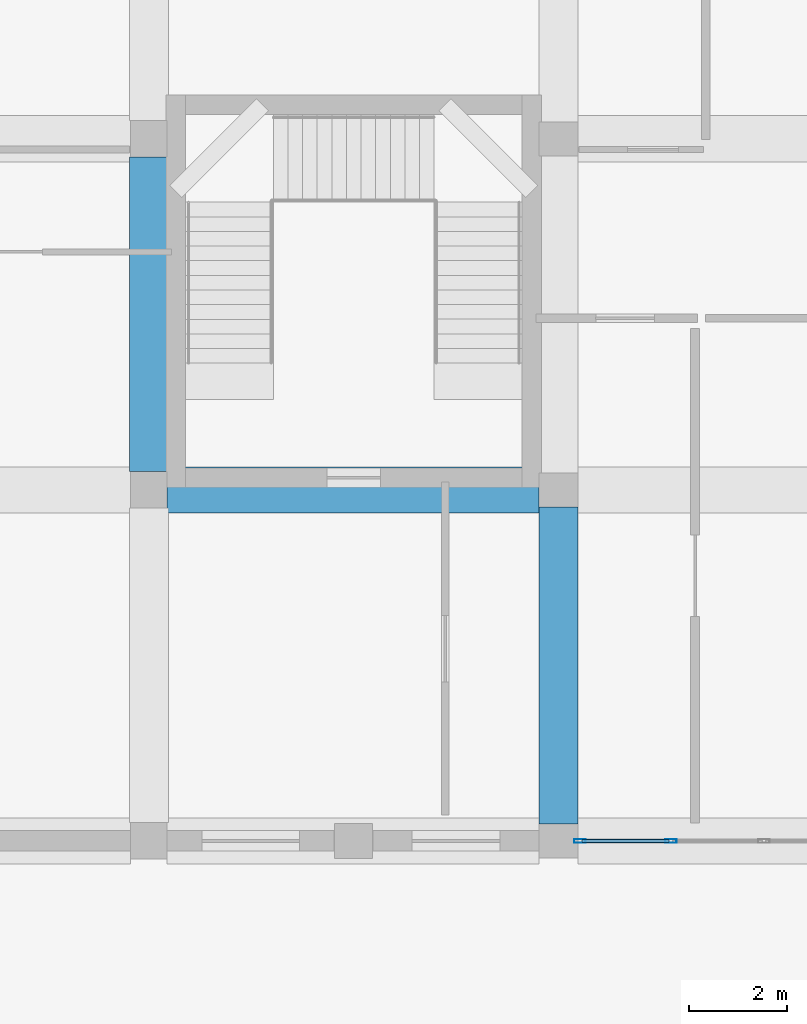
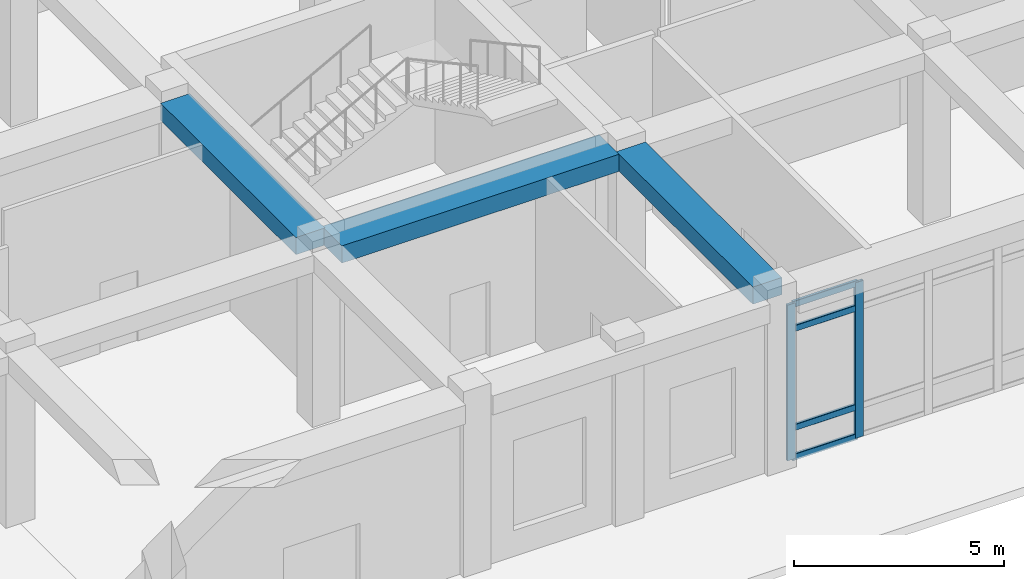
# One storey, part 17 of 84: 6 members, 3 beams, 1 element without a shape of its own.
"""IFC4 building model written with IfcOpenShell, lengths in metres."""

from ifc_helpers import new_model, si_unit, derived_unit, direction, frame, origin, origin_2d, place, context, subcontext, project, spatial, rectangle, hollow_rectangle, extrude, material, material_profile, profile_set, type_object, element, aggregate, save


model = new_model("IFC4")

# Units and contexts
model_context = context("Model", 3, precision=1e-05, world=origin(), true_north=direction((0.0, 1.0)))
body_context = subcontext(model_context, "Body", "Model", "MODEL_VIEW")
ifc_project = project(units=[si_unit("LENGTHUNIT", "METRE"), si_unit("AREAUNIT", "SQUARE_METRE"), si_unit("VOLUMEUNIT", "CUBIC_METRE"), si_unit("PLANEANGLEUNIT", "RADIAN"), si_unit("MASSUNIT", "GRAM", prefix="KILO"), derived_unit("THERMALTRANSMITTANCEUNIT", [(si_unit("POWERUNIT", "WATT"), 1), (si_unit("LENGTHUNIT", "METRE"), -2), (si_unit("THERMODYNAMICTEMPERATUREUNIT", "KELVIN"), -1)])], contexts=[model_context])

# Site, building, storey
site_placement = place(None, origin())
site = spatial("IfcSite", under=ifc_project, at=site_placement, CompositionType="ELEMENT")
building_placement = place(site_placement, origin())
building = spatial("IfcBuilding", under=site, at=building_placement, Name="Veybourne Emporium", CompositionType="ELEMENT")
storey_placement = place(building_placement, origin())
storey = spatial("IfcBuildingStorey", under=building, at=storey_placement, Name="L00", CompositionType="ELEMENT", Elevation=0.0)

# Curtain wall, members
ifc_material_1 = material(Name="Patinated Architectural Bronze", Category="bronze")
curtain_wall_type = type_object("IfcCurtainWallType", Name="CWSystem_CWS-11", PredefinedType="NOTDEFINED", material=ifc_material_1)
curtain_wall_placement = place(storey_placement, origin())
curtain_wall = element("IfcCurtainWall", 1, at=curtain_wall_placement, inside=storey, type_object=curtain_wall_type, Name="L00 bronze glazed curtain wall CWS-11 (057)", PredefinedType="NOTDEFINED")
ifc_material_profile_1 = material_profile(ifc_material_1, hollow_rectangle(XDim=0.077880859375, YDim=0.235107421875, WallThickness=0.0048828125, InnerFilletRadius=0.007568359375, OuterFilletRadius=0.012451171875, at=origin_2d()), Name="CWM 78x235x5")
ifc_profile_set_1 = profile_set([ifc_material_profile_1], Name="Patinated Architectural Bronze")
member_type_1 = type_object("IfcMemberType", Name="CWMullion_CW-M3", PredefinedType="MULLION", material=ifc_profile_set_1)
member_1_placement = place(storey_placement, frame((111.50634765625, 0.0, 0.0), z_axis=(0.0, 0.0, 1.0), x_axis=(0.0, -1.0, 0.0)))
member_1 = element("IfcMember", 2, at=member_1_placement, type_object=member_type_1, Name="CWS-11 mullion 4", PredefinedType="MULLION", context=body_context, shape_type="SweptSolid", body=[
    extrude(hollow_rectangle(XDim=0.077880859375, YDim=0.235107421875, WallThickness=0.0048828125, InnerFilletRadius=0.007568359375, OuterFilletRadius=0.012451171875, at=origin_2d()), origin(), (0.0, 0.0, 1.0), 4.530029296875),
])
member_2_placement = place(storey_placement, frame((109.638916015625, 0.0, 0.0), z_axis=(0.0, 0.0, 1.0), x_axis=(0.0, -1.0, 0.0)))
member_2 = element("IfcMember", 3, at=member_2_placement, type_object=member_type_1, Name="CWS-11 mullion 5", PredefinedType="MULLION", context=body_context, shape_type="SweptSolid", body=[
    extrude(hollow_rectangle(XDim=0.077880859375, YDim=0.235107421875, WallThickness=0.0048828125, InnerFilletRadius=0.007568359375, OuterFilletRadius=0.012451171875, at=origin_2d()), origin(), (0.0, 0.0, 1.0), 4.530029296875),
])
ifc_material_profile_2 = material_profile(ifc_material_1, hollow_rectangle(XDim=0.077880859375, YDim=0.18505859375, WallThickness=0.0048828125, InnerFilletRadius=0.007568359375, OuterFilletRadius=0.012451171875, at=origin_2d()), Name="CWT 78x185x5")
ifc_profile_set_2 = profile_set([ifc_material_profile_2], Name="Patinated Architectural Bronze")
member_type_2 = type_object("IfcMemberType", Name="CWTransom_CW-T3", PredefinedType="NOTDEFINED", material=ifc_profile_set_2)
member_3_placement = place(storey_placement, frame((111.46728515625, 0.0, 0.0390625), z_axis=(-1.0, 0.0, 0.0), x_axis=(0.0, -1.0, 0.0)))
member_3 = element("IfcMember", 4, at=member_3_placement, type_object=member_type_2, Name="CWS-11 transom 4.1", ObjectType="TRANSOM", PredefinedType="USERDEFINED", context=body_context, shape_type="SweptSolid", body=[
    extrude(hollow_rectangle(XDim=0.077880859375, YDim=0.18505859375, WallThickness=0.0048828125, InnerFilletRadius=0.007568359375, OuterFilletRadius=0.012451171875, at=origin_2d()), origin(), (0.0, 0.0, 1.0), 1.789306640625),
])
member_4_placement = place(storey_placement, frame((111.46728515625, 0.0, 0.89990234375), z_axis=(-1.0, 0.0, 0.0), x_axis=(0.0, -1.0, 0.0)))
member_4 = element("IfcMember", 5, at=member_4_placement, type_object=member_type_2, Name="CWS-11 transom 4.2", ObjectType="TRANSOM", PredefinedType="USERDEFINED", context=body_context, shape_type="SweptSolid", body=[
    extrude(hollow_rectangle(XDim=0.077880859375, YDim=0.18505859375, WallThickness=0.0048828125, InnerFilletRadius=0.007568359375, OuterFilletRadius=0.012451171875, at=origin_2d()), origin(), (0.0, 0.0, 1.0), 1.789306640625),
])
member_5_placement = place(storey_placement, frame((111.46728515625, 0.0, 3.780029296875), z_axis=(-1.0, 0.0, 0.0), x_axis=(0.0, -1.0, 0.0)))
member_5 = element("IfcMember", 6, at=member_5_placement, type_object=member_type_2, Name="CWS-11 transom 4.3", ObjectType="TRANSOM", PredefinedType="USERDEFINED", context=body_context, shape_type="SweptSolid", body=[
    extrude(hollow_rectangle(XDim=0.077880859375, YDim=0.18505859375, WallThickness=0.0048828125, InnerFilletRadius=0.007568359375, OuterFilletRadius=0.012451171875, at=origin_2d()), origin(), (0.0, 0.0, 1.0), 1.789306640625),
])
member_6_placement = place(storey_placement, frame((111.46728515625, 0.0, 4.490966796875), z_axis=(-1.0, 0.0, 0.0), x_axis=(0.0, -1.0, 0.0)))
member_6 = element("IfcMember", 7, at=member_6_placement, type_object=member_type_2, Name="CWS-11 transom 4.4", ObjectType="TRANSOM", PredefinedType="USERDEFINED", context=body_context, shape_type="SweptSolid", body=[
    extrude(hollow_rectangle(XDim=0.077880859375, YDim=0.18505859375, WallThickness=0.0048828125, InnerFilletRadius=0.007568359375, OuterFilletRadius=0.012451171875, at=origin_2d()), origin(), (0.0, 0.0, 1.0), 1.789306640625),
])
aggregate(curtain_wall, [member_1, member_2, member_3, member_4, member_5, member_6])

# Beams
ifc_material_2 = material(Name="Concrete C32/40", Category="concrete")
ifc_material_profile_3 = material_profile(ifc_material_2, rectangle(XDim=0.949951171875, YDim=0.5, at=origin_2d()), Name="RC 950x500")
ifc_profile_set_3 = profile_set([ifc_material_profile_3], Name="Concrete C32/40")
beam_type_1 = type_object("IfcBeamType", Name="RCBeam_BB-01", PredefinedType="BEAM", material=ifc_profile_set_3)
beam_1_placement = place(storey_placement, frame((101.175048828125, 7.199951171875, 4.830078125), z_axis=(1.0, 0.0, 0.0), x_axis=(0.0, 1.0, 0.0)))
element("IfcBeam", 8, at=beam_1_placement, inside=storey, type_object=beam_type_1, Name="L00 X-grid beam BB-01 (12,1)", PredefinedType="BEAM", context=body_context, shape_type="SweptSolid", body=[
    extrude(rectangle(XDim=0.949951171875, YDim=0.5, at=origin_2d()), origin(), (0.0, 0.0, 1.0), 7.625),
])
ifc_material_profile_4 = material_profile(ifc_material_2, rectangle(XDim=0.800048828125, YDim=0.5, at=origin_2d()), Name="RC 800x500")
ifc_profile_set_4 = profile_set([ifc_material_profile_4], Name="Concrete C32/40")
beam_type_2 = type_object("IfcBeamType", Name="RCBeam_BB-02", PredefinedType="BEAM", material=ifc_profile_set_4)
beam_2_placement = place(storey_placement, frame((100.800048828125, 7.574951171875, 4.830078125), z_axis=(0.0, 1.0, 0.0), x_axis=(-1.0, 0.0, 0.0)))
element("IfcBeam", 9, at=beam_2_placement, inside=storey, type_object=beam_type_2, Name="L00 Y-grid beam BB-02 (12,1)", PredefinedType="BEAM", context=body_context, shape_type="SweptSolid", body=[
    extrude(rectangle(XDim=0.800048828125, YDim=0.5, at=origin_2d()), origin(), (0.0, 0.0, 1.0), 6.449951171875),
])
beam_3_placement = place(storey_placement, frame((109.199951171875, 0.35009765625, 4.830078125), z_axis=(0.0, 1.0, 0.0), x_axis=(-1.0, 0.0, 0.0)))
element("IfcBeam", 10, at=beam_3_placement, inside=storey, type_object=beam_type_2, Name="L00 Y-grid beam BB-02 (13,0)", PredefinedType="BEAM", context=body_context, shape_type="SweptSolid", body=[
    extrude(rectangle(XDim=0.800048828125, YDim=0.5, at=origin_2d()), origin(), (0.0, 0.0, 1.0), 6.5),
])

save(model, "model.ifc")
